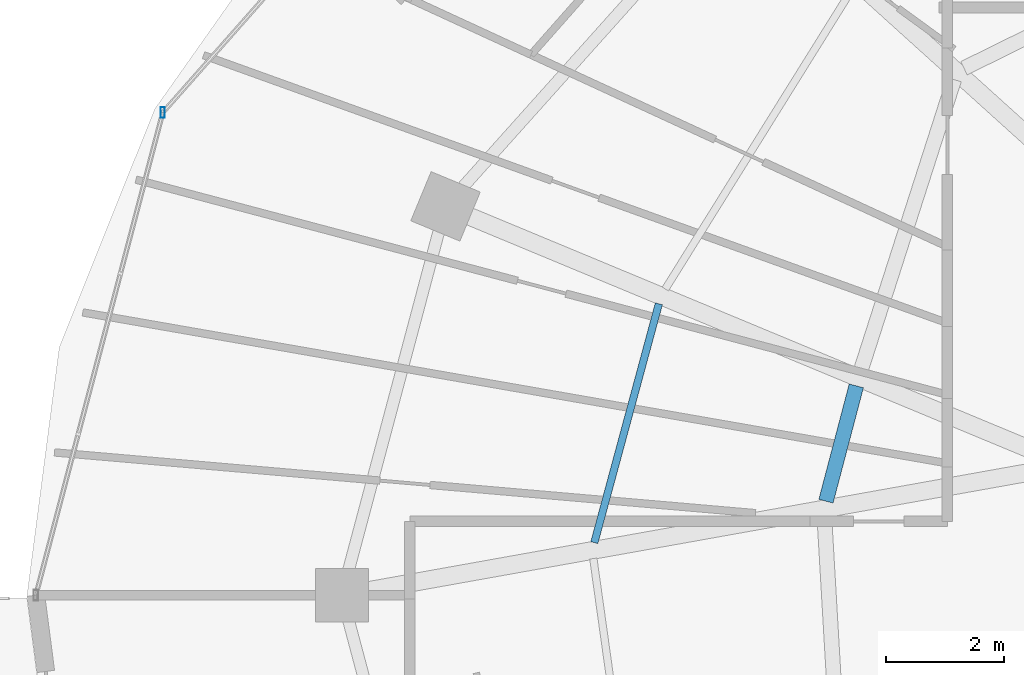
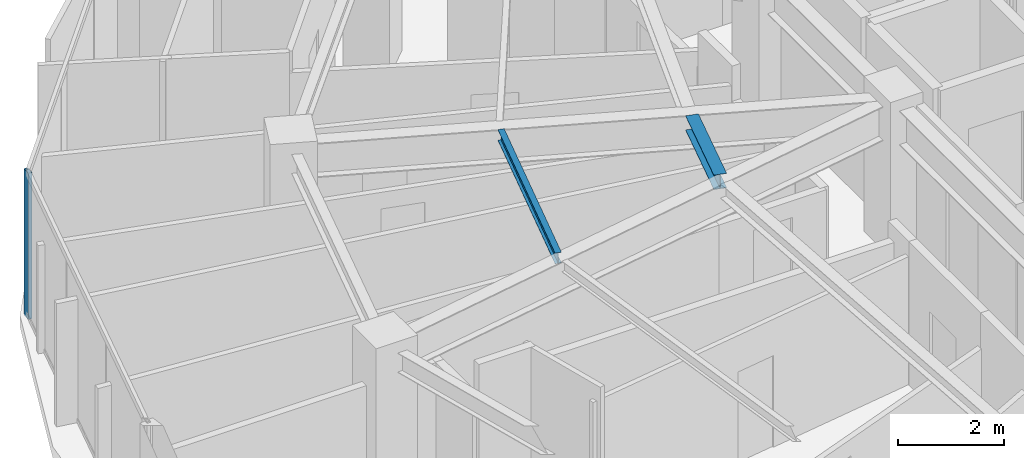
# One storey, part 9 of 33: 2 beams, 1 member, 1 element without a shape of its own.
"""IFC4 building model written with IfcOpenShell, lengths in metres."""

import ifcopenshell
import ifcopenshell.guid

model = None  # the IFC model being written
_history = None  # IfcOwnerHistory: only IFC2X3 demands one
_inside = {}  # id of a spatial element -> (the spatial element, [elements in it])
_under = {}  # id of a project, library or spatial element -> (it, [spatial elements below it])
_declared = {}  # id of a project -> (the project, [libraries it declares])
_typed = {}  # id of a type object -> (the type object, [elements of that type])
_made_of = {}  # id of a material, layer set ... -> (it, [elements and type objects made of it])


def new_model(schema):
    """Start an empty IFC model of exactly this schema.

    Asked for "IFC4X3", IfcOpenShell would pick the latest addendum, in which some entities
    have other attributes; the version numbers below select the first issue.
    IFC2X3 requires an IfcOwnerHistory on every rooted entity: one is made here for all.
    """
    global model, _history
    if schema == "IFC4X3":
        model = ifcopenshell.file(schema_version=(4, 3, 0, 0))
    else:
        model = ifcopenshell.file(schema=schema)
    _inside.clear()
    _under.clear()
    _declared.clear()
    _typed.clear()
    _made_of.clear()
    _history = None
    if model.schema == "IFC2X3":
        org = make("IfcOrganization", Name="unknown")
        user = make(
            "IfcPersonAndOrganization",
            ThePerson=make("IfcPerson", FamilyName="unknown"),
            TheOrganization=org,
        )
        app = make(
            "IfcApplication",
            ApplicationDeveloper=org,
            Version="unknown",
            ApplicationFullName="unknown",
            ApplicationIdentifier="unknown",
        )
        _history = make(
            "IfcOwnerHistory",
            OwningUser=user,
            OwningApplication=app,
            ChangeAction="ADDED",
            CreationDate=0,
        )
    return model


def make(cls, **values):
    """One entity of the class cls with the attributes given. An attribute that is None is left unset."""
    return model.create_entity(
        cls, **{name: value for name, value in values.items() if value is not None}
    )


def rooted(cls, **values):
    """An entity with a GlobalId (a new one), such as an element, a storey or a relation."""
    return make(cls, GlobalId=ifcopenshell.guid.new(), OwnerHistory=_history, **values)


def si_unit(unit_type, name, prefix=None):
    """IfcSIUnit, for example si_unit("LENGTHUNIT", "METRE", prefix="MILLI")."""
    return make("IfcSIUnit", UnitType=unit_type, Prefix=prefix, Name=name)


def assignment(units):
    """IfcUnitAssignment: the units of a project."""
    return None if units is None else make("IfcUnitAssignment", Units=units)


def point(xyz):
    """IfcCartesianPoint."""
    return None if xyz is None else make("IfcCartesianPoint", Coordinates=xyz)


def direction(xyz):
    """IfcDirection."""
    return None if xyz is None else make("IfcDirection", DirectionRatios=xyz)


def frame(location, z_axis=None, x_axis=None):
    """IfcAxis2Placement3D, a coordinate frame: its origin and axes. An axis left out is left unset."""
    return make(
        "IfcAxis2Placement3D",
        Location=point(location),
        Axis=direction(z_axis),
        RefDirection=direction(x_axis),
    )


def frame_2d(location, x_axis=None):
    """IfcAxis2Placement2D, a coordinate frame in the plane: its origin and x axis."""
    return make(
        "IfcAxis2Placement2D", Location=point(location), RefDirection=direction(x_axis)
    )


def origin():
    """The frame at (0, 0, 0) with its axes left unset."""
    return frame((0.0, 0.0, 0.0))


def origin_2d():
    """The frame at (0, 0) in the plane with its x axis left unset."""
    return frame_2d((0.0, 0.0))


def place(relative_to, where):
    """IfcLocalPlacement: puts the frame where relative to a parent placement (None: the world)."""
    return make(
        "IfcLocalPlacement", PlacementRelTo=relative_to, RelativePlacement=where
    )


def context(
    kind, dimensions, precision=None, world=None, true_north=None, identifier=None
):
    """IfcGeometricRepresentationContext, for example the 3D "Model" context."""
    return make(
        "IfcGeometricRepresentationContext",
        ContextIdentifier=identifier,
        ContextType=kind,
        CoordinateSpaceDimension=dimensions,
        Precision=precision,
        WorldCoordinateSystem=world,
        TrueNorth=true_north,
    )


def subcontext(parent, identifier, kind, view, scale=None):
    """IfcGeometricRepresentationSubContext, for example "Body" below "Model"."""
    return make(
        "IfcGeometricRepresentationSubContext",
        ContextIdentifier=identifier,
        ContextType=kind,
        ParentContext=parent,
        TargetScale=scale,
        TargetView=view,
    )


def project(units=None, contexts=None):
    """IfcProject with its units and contexts."""
    return rooted(
        "IfcProject",
        Name="project",
        RepresentationContexts=contexts,
        UnitsInContext=assignment(units),
    )


def spatial(cls, under=None, at=None, **own):
    """A site, building, storey or space (cls), placed at a placement, below another one or the project."""
    s = rooted(cls, ObjectPlacement=at, **own)
    if under is not None:
        _under.setdefault(under.id(), (under, []))[1].append(s)
    return s


def profile(cls, at=None, kind="AREA", **sizes):
    """A parametric profile (cls). Its sizes go by their IFC names, for example OverallWidth=200.0."""
    return make(cls, ProfileType=kind, Position=at, **sizes)


def hollow_rectangle(**sizes):
    """IfcRectangleHollowProfileDef."""
    return profile("IfcRectangleHollowProfileDef", **sizes)


def i_section(**sizes):
    """IfcIShapeProfileDef."""
    return profile("IfcIShapeProfileDef", **sizes)


def extrude(swept, where, along, depth):
    """IfcExtrudedAreaSolid: the profile swept, set in the frame where, extruded along a direction by depth."""
    return make(
        "IfcExtrudedAreaSolid",
        SweptArea=swept,
        Position=where,
        ExtrudedDirection=direction(along),
        Depth=depth,
    )


def shape(context_of_items, identifier, shape_type, items):
    """IfcShapeRepresentation: the items that make up one representation, for example the "Body"."""
    return make(
        "IfcShapeRepresentation",
        ContextOfItems=context_of_items,
        RepresentationIdentifier=identifier,
        RepresentationType=shape_type,
        Items=items,
    )


def material(Name=None, Category=None):
    """IfcMaterial."""
    return make("IfcMaterial", Name=Name, Category=Category)


def material_profile(
    of_material, cross_section, Name=None, Category=None, Priority=None
):
    """IfcMaterialProfile: a cross section and its material."""
    return make(
        "IfcMaterialProfile",
        Name=Name,
        Material=of_material,
        Profile=cross_section,
        Priority=Priority,
        Category=Category,
    )


def profile_set(profiles, Name=None, composite=None):
    """IfcMaterialProfileSet."""
    return make(
        "IfcMaterialProfileSet",
        Name=Name,
        MaterialProfiles=profiles,
        CompositeProfile=composite,
    )


def made_of(thing, what):
    """Note that an element or type object is made of a material, layer set ...; save() writes the relation."""
    if what is not None:
        _made_of.setdefault(what.id(), (what, []))[1].append(thing)
    return thing


def type_object(cls, material=None, **own):
    """A type object (cls), such as IfcWallType, which elements share."""
    return made_of(rooted(cls, **own), material)


def element(
    cls,
    number,
    at=None,
    inside=None,
    cuts=None,
    type_object=None,
    material=None,
    context=None,
    identifier="Body",
    shape_type=None,
    held_by="IfcProductDefinitionShape",
    body=None,
    shapes=None,
    **own,
):
    """One element of the class cls, such as IfcWall. Its Tag is "e" and its number.

    at: its placement. inside: the storey or other place that contains it. cuts: it is an
    opening in that element (IfcRelVoidsElement). A single representation is given by context,
    identifier, shape_type and body (its items); several are given by shapes. held_by: the class
    of the entity that holds the representations. save() writes the other relations.
    """
    e = rooted(cls, Tag="e%d" % number, ObjectPlacement=at, **own)
    if body is not None:
        shapes = [shape(context, identifier, shape_type, body)]
    if shapes is not None:
        e.Representation = make(held_by, Representations=shapes)
    if inside is not None:
        _inside.setdefault(inside.id(), (inside, []))[1].append(e)
    if cuts is not None:
        rooted(
            "IfcRelVoidsElement", RelatingBuildingElement=cuts, RelatedOpeningElement=e
        )
    if type_object is not None:
        _typed.setdefault(type_object.id(), (type_object, []))[1].append(e)
    return made_of(e, material)


def aggregate(whole, parts):
    """IfcRelAggregates: a whole, such as a stair, and the parts it consists of."""
    return rooted("IfcRelAggregates", RelatingObject=whole, RelatedObjects=parts)


def save(model, path):
    """Write the relations noted so far, then the file.

    IfcRelAggregates (storeys below a building ...), IfcRelContainedInSpatialStructure (elements
    in a storey), IfcRelDefinesByType, IfcRelAssociatesMaterial and IfcRelDeclares: one each for
    every whole, place, type object, material and project.
    """
    for whole, parts in _under.values():
        aggregate(whole, parts)
    for where, things in _inside.values():
        rooted(
            "IfcRelContainedInSpatialStructure",
            RelatedElements=things,
            RelatingStructure=where,
        )
    for kind, things in _typed.values():
        rooted("IfcRelDefinesByType", RelatedObjects=things, RelatingType=kind)
    for what, things in _made_of.values():
        rooted("IfcRelAssociatesMaterial", RelatedObjects=things, RelatingMaterial=what)
    for by, libraries in _declared.values():
        rooted("IfcRelDeclares", RelatingContext=by, RelatedDefinitions=libraries)
    model.write(path)


model = new_model("IFC4")

# Units and contexts
model_context = context("Model", 3, precision=1e-05, world=origin(), true_north=direction((0.0, 1.0)))
body_context = subcontext(model_context, "Body", "Model", "MODEL_VIEW")
ifc_project = project(units=[si_unit("LENGTHUNIT", "METRE"), si_unit("AREAUNIT", "SQUARE_METRE"), si_unit("VOLUMEUNIT", "CUBIC_METRE"), si_unit("PLANEANGLEUNIT", "RADIAN"), si_unit("MASSUNIT", "GRAM", prefix="KILO")], contexts=[model_context])

# Site, building, storey
site_placement = place(None, origin())
site = spatial("IfcSite", under=ifc_project, at=site_placement, CompositionType="ELEMENT")
building_placement = place(site_placement, origin())
building = spatial("IfcBuilding", under=site, at=building_placement, Name="Vorneva Point Tower", CompositionType="ELEMENT")
storey_placement = place(building_placement, frame((0.0, 0.0, 203.64990234375)))
storey = spatial("IfcBuildingStorey", under=building, at=storey_placement, Name="L55", CompositionType="ELEMENT", Elevation=203.64990234375)

# Beams
ifc_material_1 = material(Name="Steel S355", Category="steel")
ifc_material_profile_1 = material_profile(ifc_material_1, i_section(OverallWidth=0.1240234375, OverallDepth=0.248046875, WebThickness=0.0048828125, FlangeThickness=0.008056640625, at=origin_2d()), Name="25B1")
ifc_profile_set_1 = profile_set([ifc_material_profile_1], Name="Steel S355")
beam_type_1 = type_object("IfcBeamType", Name="BM-JST-25B1", PredefinedType="JOIST", material=ifc_profile_set_1)
beam_1_placement = place(storey_placement, frame((20.31591796875, 30.933349609375, 3.166015625), z_axis=(-0.260916367876, -0.965361408476, 0.0), x_axis=(0.965361408476, -0.260916367876, 0.0)))
element("IfcBeam", 1, at=beam_1_placement, inside=storey, type_object=beam_type_1, Name="L55 Secondary Floor Beam 1.08", PredefinedType="JOIST", context=body_context, shape_type="SweptSolid", body=[
    extrude(i_section(OverallWidth=0.1240234375, OverallDepth=0.248046875, WebThickness=0.0048828125, FlangeThickness=0.008056640625, at=origin_2d()), origin(), (0.0, 0.0, 1.0), 4.187255859375),
])
ifc_material_profile_2 = material_profile(ifc_material_1, i_section(OverallWidth=0.2490234375, OverallDepth=0.333984375, WebThickness=0.008056640625, FlangeThickness=0.010986328125, at=origin_2d()), Name="35Sh1")
ifc_profile_set_2 = profile_set([ifc_material_profile_2], Name="Steel S355")
beam_type_2 = type_object("IfcBeamType", Name="BM-SEC-35Sh1", PredefinedType="BEAM", material=ifc_profile_set_2)
beam_2_placement = place(storey_placement, frame((23.657958984375, 29.544677734375, 3.123046875), z_axis=(-0.254499253251, -0.967072970409, 0.0), x_axis=(0.967072970409, -0.254499253251, 0.0)))
element("IfcBeam", 2, at=beam_2_placement, inside=storey, type_object=beam_type_2, Name="L55 Secondary Floor Beam 2.08", PredefinedType="BEAM", context=body_context, shape_type="SweptSolid", body=[
    extrude(i_section(OverallWidth=0.2490234375, OverallDepth=0.333984375, WebThickness=0.008056640625, FlangeThickness=0.010986328125, at=origin_2d()), origin(), (0.0, 0.0, 1.0), 2.018310546875),
])

# Curtain wall, member
ifc_material_2 = material(Name="Pale anodised aluminium", Category="aluminium")
curtain_wall_type = type_object("IfcCurtainWallType", Name="CW-RES-SYS", PredefinedType="NOTDEFINED", material=ifc_material_2)
curtain_wall_placement = place(storey_placement, origin())
curtain_wall = element("IfcCurtainWall", 3, at=curtain_wall_placement, inside=storey, type_object=curtain_wall_type, Name="L55 Unitised Curtain Wall CW-L55-R02", PredefinedType="NOTDEFINED")
ifc_material_profile_3 = material_profile(ifc_material_2, hollow_rectangle(XDim=0.074951171875, YDim=0.179931640625, WallThickness=0.00390625, at=origin_2d()), Name="AL-MUL 180x75x4")
ifc_profile_set_3 = profile_set([ifc_material_profile_3], Name="Pale anodised aluminium")
member_type = type_object("IfcMemberType", Name="CW-MUL-180", PredefinedType="MULLION", material=ifc_profile_set_3)
member_placement = place(storey_placement, frame((11.9189453125, 34.17041015625, -0.039794921875), z_axis=(0.0, 0.0, 1.0), x_axis=(1.0, 0.0, 0.0)))
member = element("IfcMember", 4, at=member_placement, type_object=member_type, Name="CW-L55-R02 Mullion 02", PredefinedType="MULLION", context=body_context, shape_type="SweptSolid", body=[
    extrude(hollow_rectangle(XDim=0.074951171875, YDim=0.179931640625, WallThickness=0.00390625, at=origin_2d()), origin(), (0.0, 0.0, 1.0), 3.35986328125),
])
aggregate(curtain_wall, [member])

save(model, "model.ifc")
